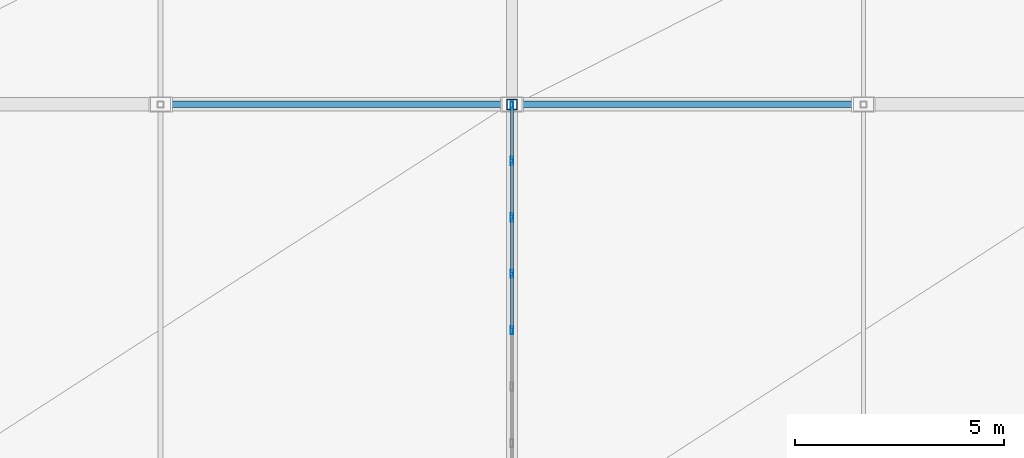
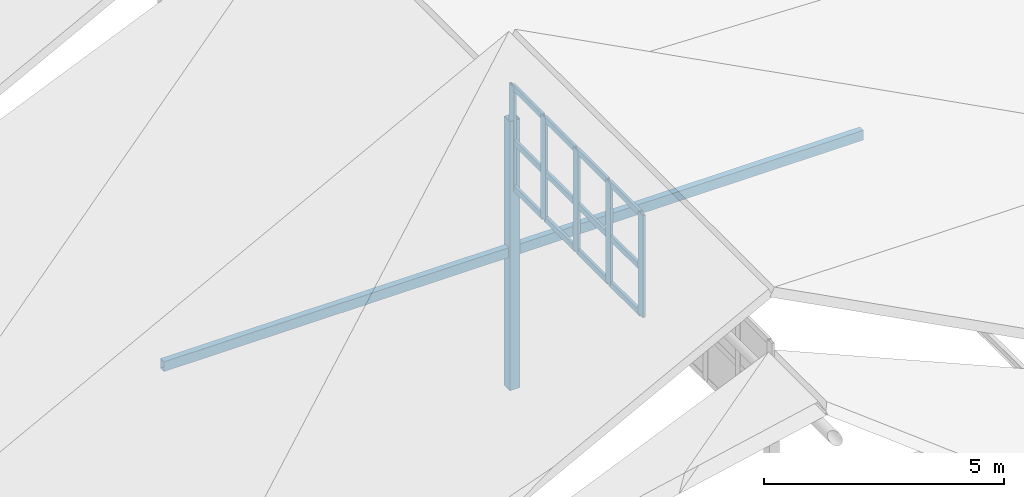
# One storey, part 31 of 76: 19 members, 1 element without a shape of its own.
"""IFC4 building model written with IfcOpenShell, lengths in metres."""

import ifcopenshell
import ifcopenshell.guid

model = None  # the IFC model being written
_history = None  # IfcOwnerHistory: only IFC2X3 demands one
_inside = {}  # id of a spatial element -> (the spatial element, [elements in it])
_under = {}  # id of a project, library or spatial element -> (it, [spatial elements below it])
_declared = {}  # id of a project -> (the project, [libraries it declares])
_typed = {}  # id of a type object -> (the type object, [elements of that type])
_made_of = {}  # id of a material, layer set ... -> (it, [elements and type objects made of it])


def new_model(schema):
    """Start an empty IFC model of exactly this schema.

    Asked for "IFC4X3", IfcOpenShell would pick the latest addendum, in which some entities
    have other attributes; the version numbers below select the first issue.
    IFC2X3 requires an IfcOwnerHistory on every rooted entity: one is made here for all.
    """
    global model, _history
    if schema == "IFC4X3":
        model = ifcopenshell.file(schema_version=(4, 3, 0, 0))
    else:
        model = ifcopenshell.file(schema=schema)
    _inside.clear()
    _under.clear()
    _declared.clear()
    _typed.clear()
    _made_of.clear()
    _history = None
    if model.schema == "IFC2X3":
        org = make("IfcOrganization", Name="unknown")
        user = make(
            "IfcPersonAndOrganization",
            ThePerson=make("IfcPerson", FamilyName="unknown"),
            TheOrganization=org,
        )
        app = make(
            "IfcApplication",
            ApplicationDeveloper=org,
            Version="unknown",
            ApplicationFullName="unknown",
            ApplicationIdentifier="unknown",
        )
        _history = make(
            "IfcOwnerHistory",
            OwningUser=user,
            OwningApplication=app,
            ChangeAction="ADDED",
            CreationDate=0,
        )
    return model


def make(cls, **values):
    """One entity of the class cls with the attributes given. An attribute that is None is left unset."""
    return model.create_entity(
        cls, **{name: value for name, value in values.items() if value is not None}
    )


def rooted(cls, **values):
    """An entity with a GlobalId (a new one), such as an element, a storey or a relation."""
    return make(cls, GlobalId=ifcopenshell.guid.new(), OwnerHistory=_history, **values)


def si_unit(unit_type, name, prefix=None):
    """IfcSIUnit, for example si_unit("LENGTHUNIT", "METRE", prefix="MILLI")."""
    return make("IfcSIUnit", UnitType=unit_type, Prefix=prefix, Name=name)


def assignment(units):
    """IfcUnitAssignment: the units of a project."""
    return None if units is None else make("IfcUnitAssignment", Units=units)


def point(xyz):
    """IfcCartesianPoint."""
    return None if xyz is None else make("IfcCartesianPoint", Coordinates=xyz)


def direction(xyz):
    """IfcDirection."""
    return None if xyz is None else make("IfcDirection", DirectionRatios=xyz)


def frame(location, z_axis=None, x_axis=None):
    """IfcAxis2Placement3D, a coordinate frame: its origin and axes. An axis left out is left unset."""
    return make(
        "IfcAxis2Placement3D",
        Location=point(location),
        Axis=direction(z_axis),
        RefDirection=direction(x_axis),
    )


def frame_2d(location, x_axis=None):
    """IfcAxis2Placement2D, a coordinate frame in the plane: its origin and x axis."""
    return make(
        "IfcAxis2Placement2D", Location=point(location), RefDirection=direction(x_axis)
    )


def origin():
    """The frame at (0, 0, 0) with its axes left unset."""
    return frame((0.0, 0.0, 0.0))


def origin_2d():
    """The frame at (0, 0) in the plane with its x axis left unset."""
    return frame_2d((0.0, 0.0))


def place(relative_to, where):
    """IfcLocalPlacement: puts the frame where relative to a parent placement (None: the world)."""
    return make(
        "IfcLocalPlacement", PlacementRelTo=relative_to, RelativePlacement=where
    )


def context(
    kind, dimensions, precision=None, world=None, true_north=None, identifier=None
):
    """IfcGeometricRepresentationContext, for example the 3D "Model" context."""
    return make(
        "IfcGeometricRepresentationContext",
        ContextIdentifier=identifier,
        ContextType=kind,
        CoordinateSpaceDimension=dimensions,
        Precision=precision,
        WorldCoordinateSystem=world,
        TrueNorth=true_north,
    )


def subcontext(parent, identifier, kind, view, scale=None):
    """IfcGeometricRepresentationSubContext, for example "Body" below "Model"."""
    return make(
        "IfcGeometricRepresentationSubContext",
        ContextIdentifier=identifier,
        ContextType=kind,
        ParentContext=parent,
        TargetScale=scale,
        TargetView=view,
    )


def project(units=None, contexts=None):
    """IfcProject with its units and contexts."""
    return rooted(
        "IfcProject",
        Name="project",
        RepresentationContexts=contexts,
        UnitsInContext=assignment(units),
    )


def spatial(cls, under=None, at=None, **own):
    """A site, building, storey or space (cls), placed at a placement, below another one or the project."""
    s = rooted(cls, ObjectPlacement=at, **own)
    if under is not None:
        _under.setdefault(under.id(), (under, []))[1].append(s)
    return s


def profile(cls, at=None, kind="AREA", **sizes):
    """A parametric profile (cls). Its sizes go by their IFC names, for example OverallWidth=200.0."""
    return make(cls, ProfileType=kind, Position=at, **sizes)


def hollow_rectangle(**sizes):
    """IfcRectangleHollowProfileDef."""
    return profile("IfcRectangleHollowProfileDef", **sizes)


def extrude(swept, where, along, depth):
    """IfcExtrudedAreaSolid: the profile swept, set in the frame where, extruded along a direction by depth."""
    return make(
        "IfcExtrudedAreaSolid",
        SweptArea=swept,
        Position=where,
        ExtrudedDirection=direction(along),
        Depth=depth,
    )


def shape(context_of_items, identifier, shape_type, items):
    """IfcShapeRepresentation: the items that make up one representation, for example the "Body"."""
    return make(
        "IfcShapeRepresentation",
        ContextOfItems=context_of_items,
        RepresentationIdentifier=identifier,
        RepresentationType=shape_type,
        Items=items,
    )


def material(Name=None, Category=None):
    """IfcMaterial."""
    return make("IfcMaterial", Name=Name, Category=Category)


def layer(
    of_material, thickness, ventilated=None, Name=None, Category=None, Priority=None
):
    """IfcMaterialLayer: one layer of a wall or slab, of a material (None: an air gap)."""
    return make(
        "IfcMaterialLayer",
        Material=of_material,
        LayerThickness=thickness,
        IsVentilated=ventilated,
        Name=Name,
        Category=Category,
        Priority=Priority,
    )


def layer_set(layers, Name=None):
    """IfcMaterialLayerSet."""
    return make("IfcMaterialLayerSet", MaterialLayers=layers, LayerSetName=Name)


def material_profile(
    of_material, cross_section, Name=None, Category=None, Priority=None
):
    """IfcMaterialProfile: a cross section and its material."""
    return make(
        "IfcMaterialProfile",
        Name=Name,
        Material=of_material,
        Profile=cross_section,
        Priority=Priority,
        Category=Category,
    )


def profile_set(profiles, Name=None, composite=None):
    """IfcMaterialProfileSet."""
    return make(
        "IfcMaterialProfileSet",
        Name=Name,
        MaterialProfiles=profiles,
        CompositeProfile=composite,
    )


def made_of(thing, what):
    """Note that an element or type object is made of a material, layer set ...; save() writes the relation."""
    if what is not None:
        _made_of.setdefault(what.id(), (what, []))[1].append(thing)
    return thing


def type_object(cls, material=None, **own):
    """A type object (cls), such as IfcWallType, which elements share."""
    return made_of(rooted(cls, **own), material)


def element(
    cls,
    number,
    at=None,
    inside=None,
    cuts=None,
    type_object=None,
    material=None,
    context=None,
    identifier="Body",
    shape_type=None,
    held_by="IfcProductDefinitionShape",
    body=None,
    shapes=None,
    **own,
):
    """One element of the class cls, such as IfcWall. Its Tag is "e" and its number.

    at: its placement. inside: the storey or other place that contains it. cuts: it is an
    opening in that element (IfcRelVoidsElement). A single representation is given by context,
    identifier, shape_type and body (its items); several are given by shapes. held_by: the class
    of the entity that holds the representations. save() writes the other relations.
    """
    e = rooted(cls, Tag="e%d" % number, ObjectPlacement=at, **own)
    if body is not None:
        shapes = [shape(context, identifier, shape_type, body)]
    if shapes is not None:
        e.Representation = make(held_by, Representations=shapes)
    if inside is not None:
        _inside.setdefault(inside.id(), (inside, []))[1].append(e)
    if cuts is not None:
        rooted(
            "IfcRelVoidsElement", RelatingBuildingElement=cuts, RelatedOpeningElement=e
        )
    if type_object is not None:
        _typed.setdefault(type_object.id(), (type_object, []))[1].append(e)
    return made_of(e, material)


def aggregate(whole, parts):
    """IfcRelAggregates: a whole, such as a stair, and the parts it consists of."""
    return rooted("IfcRelAggregates", RelatingObject=whole, RelatedObjects=parts)


def save(model, path):
    """Write the relations noted so far, then the file.

    IfcRelAggregates (storeys below a building ...), IfcRelContainedInSpatialStructure (elements
    in a storey), IfcRelDefinesByType, IfcRelAssociatesMaterial and IfcRelDeclares: one each for
    every whole, place, type object, material and project.
    """
    for whole, parts in _under.values():
        aggregate(whole, parts)
    for where, things in _inside.values():
        rooted(
            "IfcRelContainedInSpatialStructure",
            RelatedElements=things,
            RelatingStructure=where,
        )
    for kind, things in _typed.values():
        rooted("IfcRelDefinesByType", RelatedObjects=things, RelatingType=kind)
    for what, things in _made_of.values():
        rooted("IfcRelAssociatesMaterial", RelatedObjects=things, RelatingMaterial=what)
    for by, libraries in _declared.values():
        rooted("IfcRelDeclares", RelatingContext=by, RelatedDefinitions=libraries)
    model.write(path)


model = new_model("IFC4")

# Units and contexts
model_context = context("Model", 3, precision=1e-05, world=origin(), true_north=direction((0.0, 1.0)))
body_context = subcontext(model_context, "Body", "Model", "MODEL_VIEW")
ifc_project = project(units=[si_unit("LENGTHUNIT", "METRE"), si_unit("AREAUNIT", "SQUARE_METRE"), si_unit("VOLUMEUNIT", "CUBIC_METRE"), si_unit("PLANEANGLEUNIT", "RADIAN"), si_unit("MASSUNIT", "GRAM", prefix="KILO")], contexts=[model_context])

# Site, building, storey
site_placement = place(None, origin())
site = spatial("IfcSite", under=ifc_project, at=site_placement, CompositionType="ELEMENT")
building_placement = place(site_placement, origin())
building = spatial("IfcBuilding", under=site, at=building_placement, Name="Krzemoval Escarpment Law Courts", CompositionType="ELEMENT")
storey_placement = place(building_placement, frame((0.0, 0.0, 20.39990234375)))
storey = spatial("IfcBuildingStorey", under=building, at=storey_placement, Name="L04", CompositionType="ELEMENT", Elevation=20.39990234375)

# Curtain wall, members
ifc_material_1 = material(Name="Aluminium 6063-T6", Category="aluminium")
ifc_layer = layer(ifc_material_1, 0.199951171875)
ifc_layer_set = layer_set([ifc_layer], Name="Aluminium 6063-T6")
curtain_wall_type = type_object("IfcCurtainWallType", Name="CW-CLER-2800", PredefinedType="USERDEFINED", material=ifc_layer_set)
curtain_wall_placement = place(storey_placement, origin())
curtain_wall = element("IfcCurtainWall", 1, at=curtain_wall_placement, inside=storey, type_object=curtain_wall_type, Name="Clerestory Curtain Wall CW-CLER-V4-03", ObjectType="UNITISED_CURTAIN_WALL", PredefinedType="USERDEFINED")
ifc_material_2 = material(Name="Aluminium 6063-T6", Category="aluminium")
ifc_material_profile_1 = material_profile(ifc_material_2, hollow_rectangle(XDim=0.06494140625, YDim=0.199951171875, WallThickness=0.00439453125, at=origin_2d()), Name="ALU M65x200")
ifc_profile_set_1 = profile_set([ifc_material_profile_1], Name="Aluminium 6063-T6")
member_type_1 = type_object("IfcMemberType", Name="CWM-65x200", PredefinedType="MULLION", material=ifc_profile_set_1)
member_1_placement = place(storey_placement, frame((25.199951171875, 79.800048828125, 4.800048828125), z_axis=(0.0, 0.0, 1.0), x_axis=(-1.0, 0.0, 0.0)))
member_1 = element("IfcMember", 2, at=member_1_placement, type_object=member_type_1, Name="CW-CLER-V4-03 mullion 5", PredefinedType="MULLION", context=body_context, shape_type="SweptSolid", body=[
    extrude(hollow_rectangle(XDim=0.06494140625, YDim=0.199951171875, WallThickness=0.00439453125, at=origin_2d()), origin(), (0.0, 0.0, 1.0), 2.60009765625),
])
member_2_placement = place(storey_placement, frame((25.199951171875, 81.14990234375, 4.800048828125), z_axis=(0.0, 0.0, 1.0), x_axis=(-1.0, 0.0, 0.0)))
member_2 = element("IfcMember", 3, at=member_2_placement, type_object=member_type_1, Name="CW-CLER-V4-03 mullion 6", PredefinedType="MULLION", context=body_context, shape_type="SweptSolid", body=[
    extrude(hollow_rectangle(XDim=0.06494140625, YDim=0.199951171875, WallThickness=0.00439453125, at=origin_2d()), origin(), (0.0, 0.0, 1.0), 2.60009765625),
])
member_3_placement = place(storey_placement, frame((25.199951171875, 82.5, 4.800048828125), z_axis=(0.0, 0.0, 1.0), x_axis=(-1.0, 0.0, 0.0)))
member_3 = element("IfcMember", 4, at=member_3_placement, type_object=member_type_1, Name="CW-CLER-V4-03 mullion 7", PredefinedType="MULLION", context=body_context, shape_type="SweptSolid", body=[
    extrude(hollow_rectangle(XDim=0.06494140625, YDim=0.199951171875, WallThickness=0.00439453125, at=origin_2d()), origin(), (0.0, 0.0, 1.0), 2.60009765625),
])
member_4_placement = place(storey_placement, frame((25.199951171875, 83.85009765625, 4.800048828125), z_axis=(0.0, 0.0, 1.0), x_axis=(-1.0, 0.0, 0.0)))
member_4 = element("IfcMember", 5, at=member_4_placement, type_object=member_type_1, Name="CW-CLER-V4-03 mullion 8", PredefinedType="MULLION", context=body_context, shape_type="SweptSolid", body=[
    extrude(hollow_rectangle(XDim=0.06494140625, YDim=0.199951171875, WallThickness=0.00439453125, at=origin_2d()), origin(), (0.0, 0.0, 1.0), 2.60009765625),
])
member_5_placement = place(storey_placement, frame((25.199951171875, 85.16748046875, 4.800048828125), z_axis=(0.0, 0.0, 1.0), x_axis=(-1.0, 0.0, 0.0)))
member_5 = element("IfcMember", 6, at=member_5_placement, type_object=member_type_1, Name="CW-CLER-V4-03 mullion 9", PredefinedType="MULLION", context=body_context, shape_type="SweptSolid", body=[
    extrude(hollow_rectangle(XDim=0.06494140625, YDim=0.199951171875, WallThickness=0.00439453125, at=origin_2d()), origin(), (0.0, 0.0, 1.0), 2.60009765625),
])
ifc_material_3 = material(Name="Aluminium 6063-T6", Category="aluminium")
ifc_material_profile_2 = material_profile(ifc_material_3, hollow_rectangle(XDim=0.06494140625, YDim=0.14990234375, WallThickness=0.00439453125, at=origin_2d()), Name="ALU T65x150")
ifc_profile_set_2 = profile_set([ifc_material_profile_2], Name="Aluminium 6063-T6")
member_type_2 = type_object("IfcMemberType", Name="CWT-65x150", PredefinedType="USERDEFINED", material=ifc_profile_set_2)
member_6_placement = place(storey_placement, frame((25.199951171875, 79.83251953125, 4.83251953125), z_axis=(0.0, 1.0, 0.0), x_axis=(-1.0, 0.0, 0.0)))
member_6 = element("IfcMember", 7, at=member_6_placement, type_object=member_type_2, Name="CW-CLER-V4-03 transom 5.1", ObjectType="TRANSOM", PredefinedType="USERDEFINED", context=body_context, shape_type="SweptSolid", body=[
    extrude(hollow_rectangle(XDim=0.06494140625, YDim=0.14990234375, WallThickness=0.00439453125, at=origin_2d()), origin(), (0.0, 0.0, 1.0), 1.284912109375),
])
member_7_placement = place(storey_placement, frame((25.199951171875, 79.83251953125, 6.0), z_axis=(0.0, 1.0, 0.0), x_axis=(-1.0, 0.0, 0.0)))
member_7 = element("IfcMember", 8, at=member_7_placement, type_object=member_type_2, Name="CW-CLER-V4-03 transom 5.2", ObjectType="TRANSOM", PredefinedType="USERDEFINED", context=body_context, shape_type="SweptSolid", body=[
    extrude(hollow_rectangle(XDim=0.06494140625, YDim=0.14990234375, WallThickness=0.00439453125, at=origin_2d()), origin(), (0.0, 0.0, 1.0), 1.284912109375),
])
member_8_placement = place(storey_placement, frame((25.199951171875, 79.83251953125, 7.36767578125), z_axis=(0.0, 1.0, 0.0), x_axis=(-1.0, 0.0, 0.0)))
member_8 = element("IfcMember", 9, at=member_8_placement, type_object=member_type_2, Name="CW-CLER-V4-03 transom 5.3", ObjectType="TRANSOM", PredefinedType="USERDEFINED", context=body_context, shape_type="SweptSolid", body=[
    extrude(hollow_rectangle(XDim=0.06494140625, YDim=0.14990234375, WallThickness=0.00439453125, at=origin_2d()), origin(), (0.0, 0.0, 1.0), 1.284912109375),
])
member_9_placement = place(storey_placement, frame((25.199951171875, 81.1826171875, 4.83251953125), z_axis=(0.0, 1.0, 0.0), x_axis=(-1.0, 0.0, 0.0)))
member_9 = element("IfcMember", 10, at=member_9_placement, type_object=member_type_2, Name="CW-CLER-V4-03 transom 6.1", ObjectType="TRANSOM", PredefinedType="USERDEFINED", context=body_context, shape_type="SweptSolid", body=[
    extrude(hollow_rectangle(XDim=0.06494140625, YDim=0.14990234375, WallThickness=0.00439453125, at=origin_2d()), origin(), (0.0, 0.0, 1.0), 1.284912109375),
])
member_10_placement = place(storey_placement, frame((25.199951171875, 81.1826171875, 6.0), z_axis=(0.0, 1.0, 0.0), x_axis=(-1.0, 0.0, 0.0)))
member_10 = element("IfcMember", 11, at=member_10_placement, type_object=member_type_2, Name="CW-CLER-V4-03 transom 6.2", ObjectType="TRANSOM", PredefinedType="USERDEFINED", context=body_context, shape_type="SweptSolid", body=[
    extrude(hollow_rectangle(XDim=0.06494140625, YDim=0.14990234375, WallThickness=0.00439453125, at=origin_2d()), origin(), (0.0, 0.0, 1.0), 1.284912109375),
])
member_11_placement = place(storey_placement, frame((25.199951171875, 81.1826171875, 7.36767578125), z_axis=(0.0, 1.0, 0.0), x_axis=(-1.0, 0.0, 0.0)))
member_11 = element("IfcMember", 12, at=member_11_placement, type_object=member_type_2, Name="CW-CLER-V4-03 transom 6.3", ObjectType="TRANSOM", PredefinedType="USERDEFINED", context=body_context, shape_type="SweptSolid", body=[
    extrude(hollow_rectangle(XDim=0.06494140625, YDim=0.14990234375, WallThickness=0.00439453125, at=origin_2d()), origin(), (0.0, 0.0, 1.0), 1.284912109375),
])
member_12_placement = place(storey_placement, frame((25.199951171875, 82.532470703125, 4.83251953125), z_axis=(0.0, 1.0, 0.0), x_axis=(-1.0, 0.0, 0.0)))
member_12 = element("IfcMember", 13, at=member_12_placement, type_object=member_type_2, Name="CW-CLER-V4-03 transom 7.1", ObjectType="TRANSOM", PredefinedType="USERDEFINED", context=body_context, shape_type="SweptSolid", body=[
    extrude(hollow_rectangle(XDim=0.06494140625, YDim=0.14990234375, WallThickness=0.00439453125, at=origin_2d()), origin(), (0.0, 0.0, 1.0), 1.284912109375),
])
member_13_placement = place(storey_placement, frame((25.199951171875, 82.532470703125, 6.0), z_axis=(0.0, 1.0, 0.0), x_axis=(-1.0, 0.0, 0.0)))
member_13 = element("IfcMember", 14, at=member_13_placement, type_object=member_type_2, Name="CW-CLER-V4-03 transom 7.2", ObjectType="TRANSOM", PredefinedType="USERDEFINED", context=body_context, shape_type="SweptSolid", body=[
    extrude(hollow_rectangle(XDim=0.06494140625, YDim=0.14990234375, WallThickness=0.00439453125, at=origin_2d()), origin(), (0.0, 0.0, 1.0), 1.284912109375),
])
member_14_placement = place(storey_placement, frame((25.199951171875, 82.532470703125, 7.36767578125), z_axis=(0.0, 1.0, 0.0), x_axis=(-1.0, 0.0, 0.0)))
member_14 = element("IfcMember", 15, at=member_14_placement, type_object=member_type_2, Name="CW-CLER-V4-03 transom 7.3", ObjectType="TRANSOM", PredefinedType="USERDEFINED", context=body_context, shape_type="SweptSolid", body=[
    extrude(hollow_rectangle(XDim=0.06494140625, YDim=0.14990234375, WallThickness=0.00439453125, at=origin_2d()), origin(), (0.0, 0.0, 1.0), 1.284912109375),
])
member_15_placement = place(storey_placement, frame((25.199951171875, 83.882568359375, 4.83251953125), z_axis=(0.0, 1.0, 0.0), x_axis=(-1.0, 0.0, 0.0)))
member_15 = element("IfcMember", 16, at=member_15_placement, type_object=member_type_2, Name="CW-CLER-V4-03 transom 8.1", ObjectType="TRANSOM", PredefinedType="USERDEFINED", context=body_context, shape_type="SweptSolid", body=[
    extrude(hollow_rectangle(XDim=0.06494140625, YDim=0.14990234375, WallThickness=0.00439453125, at=origin_2d()), origin(), (0.0, 0.0, 1.0), 1.25244140625),
])
member_16_placement = place(storey_placement, frame((25.199951171875, 83.882568359375, 6.0), z_axis=(0.0, 1.0, 0.0), x_axis=(-1.0, 0.0, 0.0)))
member_16 = element("IfcMember", 17, at=member_16_placement, type_object=member_type_2, Name="CW-CLER-V4-03 transom 8.2", ObjectType="TRANSOM", PredefinedType="USERDEFINED", context=body_context, shape_type="SweptSolid", body=[
    extrude(hollow_rectangle(XDim=0.06494140625, YDim=0.14990234375, WallThickness=0.00439453125, at=origin_2d()), origin(), (0.0, 0.0, 1.0), 1.25244140625),
])
member_17_placement = place(storey_placement, frame((25.199951171875, 83.882568359375, 7.36767578125), z_axis=(0.0, 1.0, 0.0), x_axis=(-1.0, 0.0, 0.0)))
member_17 = element("IfcMember", 18, at=member_17_placement, type_object=member_type_2, Name="CW-CLER-V4-03 transom 8.3", ObjectType="TRANSOM", PredefinedType="USERDEFINED", context=body_context, shape_type="SweptSolid", body=[
    extrude(hollow_rectangle(XDim=0.06494140625, YDim=0.14990234375, WallThickness=0.00439453125, at=origin_2d()), origin(), (0.0, 0.0, 1.0), 1.25244140625),
])
aggregate(curtain_wall, [member_1, member_2, member_3, member_4, member_5, member_6, member_7, member_8, member_9, member_10, member_11, member_12, member_13, member_14, member_15, member_16, member_17])

# Members
ifc_material_4 = material(Name="Steel S355", Category="steel")
ifc_material_profile_3 = material_profile(ifc_material_4, hollow_rectangle(XDim=0.14990234375, YDim=0.25, WallThickness=0.010009765625, at=origin_2d()), Name="RHS 250x150x10")
ifc_profile_set_3 = profile_set([ifc_material_profile_3], Name="Steel S355")
member_type_3 = type_object("IfcMemberType", Name="MBR-COL-RHS250", PredefinedType="COLLAR", material=ifc_profile_set_3)
member_18_placement = place(storey_placement, frame((16.800048828125, 85.199951171875, 3.2001953125), z_axis=(1.0, 0.0, 0.0), x_axis=(0.0, 1.0, 0.0)))
element("IfcMember", 19, at=member_18_placement, inside=storey, type_object=member_type_3, Name="Roof Collar Tie CL-0042", PredefinedType="COLLAR", context=body_context, shape_type="SweptSolid", body=[
    extrude(hollow_rectangle(XDim=0.14990234375, YDim=0.25, WallThickness=0.010009765625, at=origin_2d()), origin(), (0.0, 0.0, 1.0), 16.800048828125),
])
ifc_material_5 = material(Name="Steel S355", Category="steel")
ifc_material_profile_4 = material_profile(ifc_material_5, hollow_rectangle(XDim=0.25, YDim=0.25, WallThickness=0.012451171875, at=origin_2d()), Name="SHS 250x250x12.5")
ifc_profile_set_4 = profile_set([ifc_material_profile_4], Name="Steel S355")
member_type_4 = type_object("IfcMemberType", Name="MBR-STR-SHS250", PredefinedType="STRUT", material=ifc_profile_set_4)
member_19_placement = place(storey_placement, frame((25.199951171875, 85.199951171875, -0.27978515625), z_axis=(0.0, 0.0, 1.0), x_axis=(1.0, 0.0, 0.0)))
element("IfcMember", 20, at=member_19_placement, inside=storey, type_object=member_type_4, Name="Roof Truss King Strut ST-0037", PredefinedType="STRUT", context=body_context, shape_type="SweptSolid", body=[
    extrude(hollow_rectangle(XDim=0.25, YDim=0.25, WallThickness=0.012451171875, at=origin_2d()), origin(), (0.0, 0.0, 1.0), 6.829833984375),
])

save(model, "model.ifc")
